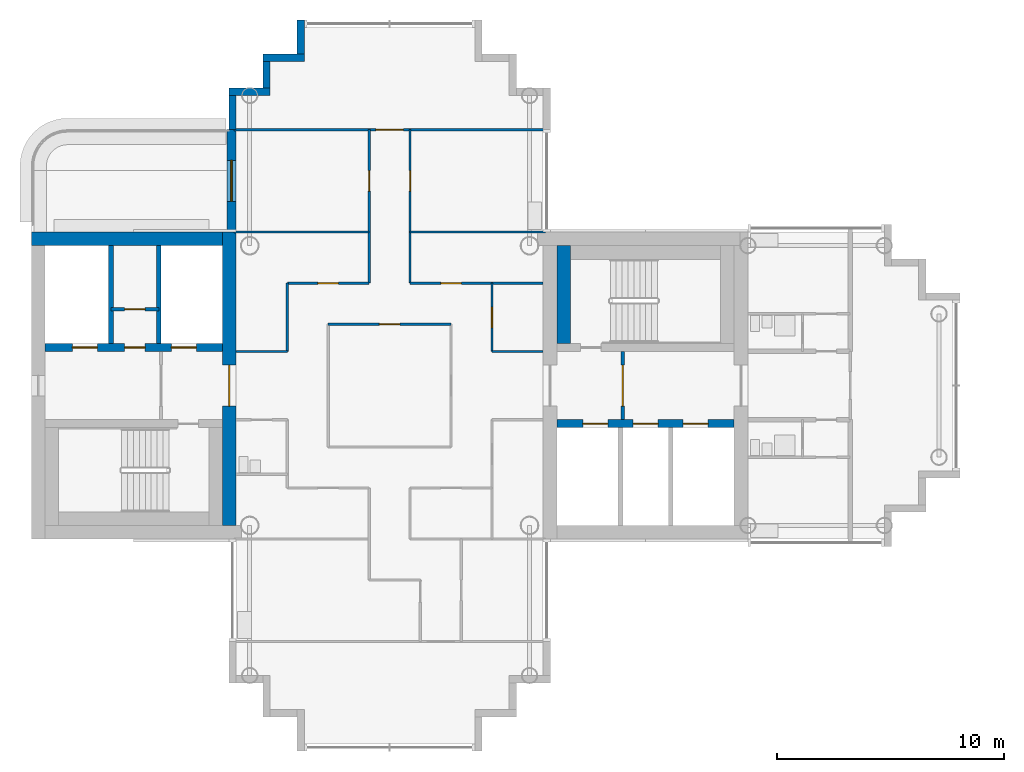
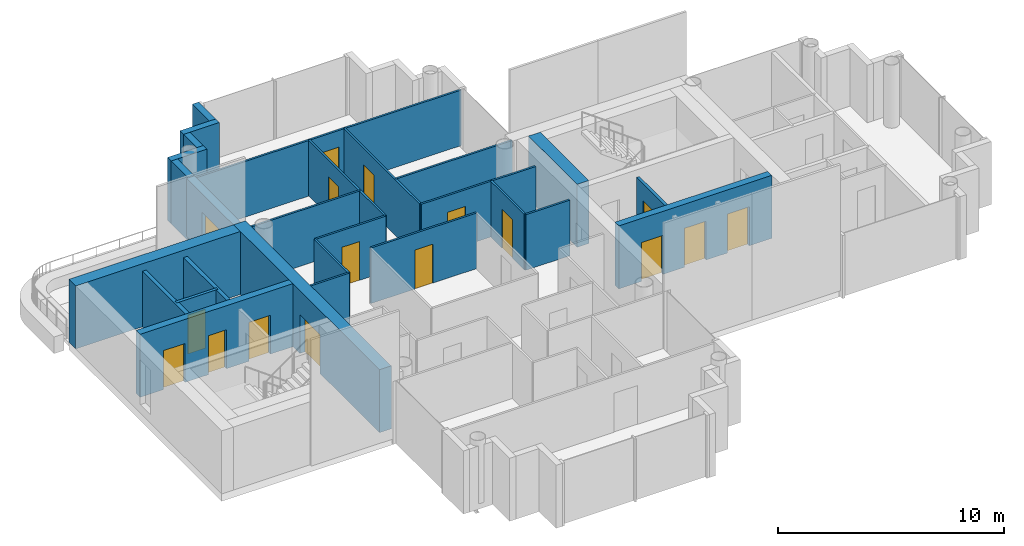
# One storey, part 7 of 18: 27 walls, 17 doors, 17 openings.
"""IFC4 building model written with IfcOpenShell, lengths in metres."""

from ifc_helpers import new_model, si_unit, direction, frame, frame_2d, origin, place, context, subcontext, project, spatial, rectangle, extrude, material, layer, layer_set, type_object, element, fill, save


model = new_model("IFC4")

# Units and contexts
model_context = context("Model", 3, precision=1e-05, world=origin(), true_north=direction((0.0, 1.0)))
body_context = subcontext(model_context, "Body", "Model", "MODEL_VIEW")
ifc_project = project(units=[si_unit("LENGTHUNIT", "METRE"), si_unit("AREAUNIT", "SQUARE_METRE"), si_unit("VOLUMEUNIT", "CUBIC_METRE"), si_unit("PLANEANGLEUNIT", "RADIAN"), si_unit("MASSUNIT", "GRAM", prefix="KILO")], contexts=[model_context])

# Site, building, storey
site_placement = place(None, origin())
site = spatial("IfcSite", under=ifc_project, at=site_placement, CompositionType="ELEMENT")
building_placement = place(site_placement, origin())
building = spatial("IfcBuilding", under=site, at=building_placement, Name="Ipe Terrace Towers", CompositionType="ELEMENT")
storey_placement = place(building_placement, frame((0.0, 0.0, 213.0)))
storey = spatial("IfcBuildingStorey", under=building, at=storey_placement, Name="L59", CompositionType="ELEMENT", Elevation=213.0)

# Wall, opening, door
ifc_material_1 = material(Name="Concrete C40/50 with buff precast cladding", Category="concrete")
ifc_layer_1 = layer(ifc_material_1, 0.39990234375)
ifc_layer_set_1 = layer_set([ifc_layer_1], Name="BALCONY BAY WALL 400")
wall_type_1 = type_object("IfcWallType", Name="BALCONY BAY WALL 400", PredefinedType="STANDARD", material=ifc_layer_set_1)
wall_1_placement = place(storey_placement, frame((-42.949951171875, 11.25, -0.02001953125), z_axis=(0.0, 0.0, 1.0), x_axis=(0.0, -1.0, 0.0)))
wall_1 = element("IfcWall", 1, at=wall_1_placement, inside=storey, type_object=wall_type_1, Name="T1-W-L59-40a wall", PredefinedType="STANDARD", context=body_context, shape_type="SweptSolid", body=[
    extrude(rectangle(XDim=4.5, YDim=0.39990234375, at=frame_2d((2.25, 0.0))), origin(), (0.0, 0.0, 1.0), 3.1201171875),
])
opening_1_placement = place(wall_1_placement, frame((1.35009765625, 0.0, 0.02001953125)))
opening_1 = element("IfcOpeningElement", 2, at=opening_1_placement, cuts=wall_1, Name="Opening T1-D-L59-40", PredefinedType="OPENING", context=body_context, shape_type="SweptSolid", body=[
    extrude(rectangle(XDim=1.800048828125, YDim=2.10009765625, at=frame_2d((0.89990234375, 1.050048828125))), frame((0.0, 0.2099609375, 0.0), z_axis=(0.0, -1.0, 0.0), x_axis=(1.0, 0.0, 0.0)), (0.0, 0.0, 1.0), 0.419921875),
])
ifc_material_2 = material(Name="Aluminium alloy 6063-T6 framed glazed door", Category="aluminium")
door_type_1 = type_object("IfcDoorType", Name="BALCONY DOOR 1800 x 2100 LEFT", OperationType="SINGLE_SWING_LEFT", PredefinedType="DOOR", material=ifc_material_2)
door_1_placement = place(opening_1_placement, origin())
door_1 = element("IfcDoor", 3, at=door_1_placement, inside=storey, type_object=door_type_1, Name="DB1 door", OperationType="SINGLE_SWING_LEFT", OverallHeight=2.10009765625, OverallWidth=1.800048828125, PredefinedType="DOOR", context=body_context, shape_type="SweptSolid", body=[
    extrude(rectangle(XDim=1.800048828125, YDim=2.10009765625, at=frame_2d((0.89990234375, 1.050048828125))), frame((0.0, 0.02490234375, 0.0), z_axis=(0.0, -1.0, 0.0), x_axis=(1.0, 0.0, 0.0)), (0.0, 0.0, 1.0), 0.050048828125),
])
fill(opening_1, door_1)

# Walls
ifc_material_3 = material(Name="Concrete C40/50 with buff precast cladding", Category="concrete")
ifc_layer_2 = layer(ifc_material_3, 0.320068359375)
ifc_layer_set_2 = layer_set([ifc_layer_2], Name="BUFF CLADDING WALL 320")
wall_type_2 = type_object("IfcWallType", Name="BUFF CLADDING WALL 320", PredefinedType="STANDARD", material=ifc_layer_set_2)
wall_2_placement = place(storey_placement, frame((-39.909912109375, 16.070068359375, -0.300048828125), z_axis=(0.0, 0.0, 1.0), x_axis=(0.0, -1.0, 0.0)))
element("IfcWall", 4, at=wall_2_placement, inside=storey, type_object=wall_type_2, Name="T1-W-L59-35a wall", PredefinedType="STANDARD", context=body_context, shape_type="SweptSolid", body=[
    extrude(rectangle(XDim=1.5, YDim=0.320068359375, at=frame_2d((0.75, 0.0))), origin(), (0.0, 0.0, 1.0), 3.400146484375),
])
wall_3_placement = place(storey_placement, frame((-39.75, 14.409912109375, -0.300048828125), z_axis=(0.0, 0.0, 1.0), x_axis=(-1.0, 0.0, 0.0)))
element("IfcWall", 5, at=wall_3_placement, inside=storey, type_object=wall_type_2, Name="T1-W-L59-36a wall", PredefinedType="STANDARD", context=body_context, shape_type="SweptSolid", body=[
    extrude(rectangle(XDim=1.820068359375, YDim=0.320068359375, at=frame_2d((0.91015625, 0.0))), origin(), (0.0, 0.0, 1.0), 3.400146484375),
])
wall_4_placement = place(storey_placement, frame((-41.409912109375, 14.25, -0.300048828125), z_axis=(0.0, 0.0, 1.0), x_axis=(0.0, -1.0, 0.0)))
element("IfcWall", 6, at=wall_4_placement, inside=storey, type_object=wall_type_2, Name="T1-W-L59-37a wall", PredefinedType="STANDARD", context=body_context, shape_type="SweptSolid", body=[
    extrude(rectangle(XDim=1.179931640625, YDim=0.320068359375, at=frame_2d((0.58984375, 0.0))), origin(), (0.0, 0.0, 1.0), 3.400146484375),
])
wall_5_placement = place(storey_placement, frame((-41.25, 12.909912109375, -0.300048828125), z_axis=(0.0, 0.0, 1.0), x_axis=(-1.0, 0.0, 0.0)))
element("IfcWall", 7, at=wall_5_placement, inside=storey, type_object=wall_type_2, Name="T1-W-L59-38a wall", PredefinedType="STANDARD", context=body_context, shape_type="SweptSolid", body=[
    extrude(rectangle(XDim=1.820068359375, YDim=0.320068359375, at=frame_2d((0.91015625, 0.0))), origin(), (0.0, 0.0, 1.0), 3.400146484375),
])
wall_6_placement = place(storey_placement, frame((-42.909912109375, 12.75, -0.300048828125), z_axis=(0.0, 0.0, 1.0), x_axis=(0.0, -1.0, 0.0)))
element("IfcWall", 8, at=wall_6_placement, inside=storey, type_object=wall_type_2, Name="T1-W-L59-39a wall", PredefinedType="STANDARD", context=body_context, shape_type="SweptSolid", body=[
    extrude(rectangle(XDim=1.5, YDim=0.320068359375, at=frame_2d((0.75, 0.0))), origin(), (0.0, 0.0, 1.0), 3.400146484375),
])
ifc_material_4 = material(Name="Gypsum board partition", Category="plasterboard")
ifc_layer_3 = layer(ifc_material_4, 0.10009765625)
ifc_layer_set_3 = layer_set([ifc_layer_3], Name="Gypsum board partition 100 mm")
wall_type_3 = type_object("IfcWallType", Name="Gypsum board partition 100 mm", PredefinedType="PARTITIONING", material=ifc_layer_set_3)
wall_7_placement = place(storey_placement, frame((-40.5, 1.5, 0.0), z_axis=(0.0, 0.0, 1.0), x_axis=(0.0, 1.0, 0.0)))
element("IfcWall", 9, at=wall_7_placement, inside=storey, type_object=wall_type_3, Name="Gypsum board partition T1 L59 W02", PredefinedType="PARTITIONING", context=body_context, shape_type="SweptSolid", body=[
    extrude(rectangle(XDim=3.0, YDim=0.10009765625, at=frame_2d((1.5, 0.0))), origin(), (0.0, 0.0, 1.0), 3.0),
])

# Wall, opening, door
wall_8_placement = place(storey_placement, frame((-36.89990234375, 4.5, 0.0), z_axis=(0.0, 0.0, 1.0), x_axis=(0.0, 1.0, 0.0)))
wall_8 = element("IfcWall", 10, at=wall_8_placement, inside=storey, type_object=wall_type_3, Name="Gypsum board partition T1 L59 W05", PredefinedType="PARTITIONING", context=body_context, shape_type="SweptSolid", body=[
    extrude(rectangle(XDim=6.75, YDim=0.10009765625, at=frame_2d((3.375, 0.0))), origin(), (0.0, 0.0, 1.0), 3.0),
])
opening_2_placement = place(wall_8_placement, frame((4.050048828125, 0.0, 0.0)))
opening_2 = element("IfcOpeningElement", 11, at=opening_2_placement, cuts=wall_8, Name="Opening T1-Z4E-10", PredefinedType="OPENING", context=body_context, shape_type="SweptSolid", body=[
    extrude(rectangle(XDim=0.89990234375, YDim=2.10009765625, at=frame_2d((0.449951171875, 1.050048828125))), frame((0.0, 0.06005859375, 0.0), z_axis=(0.0, -1.0, 0.0), x_axis=(1.0, 0.0, 0.0)), (0.0, 0.0, 1.0), 0.1201171875),
])
ifc_material_5 = material(Name="Timber door leaf", Category="wood")
door_type_2 = type_object("IfcDoorType", Name="Lounge door 900 x 2100", OperationType="NOTDEFINED", PredefinedType="DOOR", material=ifc_material_5)
door_2_placement = place(opening_2_placement, origin())
door_2 = element("IfcDoor", 12, at=door_2_placement, inside=storey, type_object=door_type_2, Name="Lounge door T1-Z4E-10", OperationType="SINGLE_SWING_LEFT", OverallHeight=2.10009765625, OverallWidth=0.89990234375, PredefinedType="DOOR", context=body_context, shape_type="SweptSolid", body=[
    extrude(rectangle(XDim=0.89990234375, YDim=2.10009765625, at=frame_2d((0.449951171875, 1.050048828125))), frame((0.0, 0.02490234375, 0.0), z_axis=(0.0, -1.0, 0.0), x_axis=(1.0, 0.0, 0.0)), (0.0, 0.0, 1.0), 0.050048828125),
])
fill(opening_2, door_2)

wall_9_placement = place(storey_placement, frame((-35.10009765625, 4.5, 0.0), z_axis=(0.0, 0.0, 1.0), x_axis=(0.0, 1.0, 0.0)))
wall_9 = element("IfcWall", 13, at=wall_9_placement, inside=storey, type_object=wall_type_3, Name="Gypsum board partition T1 L59 W07", PredefinedType="PARTITIONING", context=body_context, shape_type="SweptSolid", body=[
    extrude(rectangle(XDim=6.75, YDim=0.10009765625, at=frame_2d((3.375, 0.0))), origin(), (0.0, 0.0, 1.0), 3.0),
])
opening_3_placement = place(wall_9_placement, frame((4.050048828125, 0.0, 0.0)))
opening_3 = element("IfcOpeningElement", 14, at=opening_3_placement, cuts=wall_9, Name="Opening T1-Z4E-11", PredefinedType="OPENING", context=body_context, shape_type="SweptSolid", body=[
    extrude(rectangle(XDim=0.89990234375, YDim=2.10009765625, at=frame_2d((0.449951171875, 1.050048828125))), frame((0.0, 0.06005859375, 0.0), z_axis=(0.0, -1.0, 0.0), x_axis=(1.0, 0.0, 0.0)), (0.0, 0.0, 1.0), 0.1201171875),
])
door_3_placement = place(opening_3_placement, origin())
door_3 = element("IfcDoor", 15, at=door_3_placement, inside=storey, type_object=door_type_2, Name="Lounge door T1-Z4E-11", OperationType="SINGLE_SWING_RIGHT", OverallHeight=2.10009765625, OverallWidth=0.89990234375, PredefinedType="DOOR", context=body_context, shape_type="SweptSolid", body=[
    extrude(rectangle(XDim=0.89990234375, YDim=2.10009765625, at=frame_2d((0.449951171875, 1.050048828125))), frame((0.0, 0.02490234375, 0.0), z_axis=(0.0, -1.0, 0.0), x_axis=(1.0, 0.0, 0.0)), (0.0, 0.0, 1.0), 0.050048828125),
])
fill(opening_3, door_3)

wall_10_placement = place(storey_placement, frame((-31.5, 1.5, 0.0), z_axis=(0.0, 0.0, 1.0), x_axis=(0.0, 1.0, 0.0)))
wall_10 = element("IfcWall", 16, at=wall_10_placement, inside=storey, type_object=wall_type_3, Name="Gypsum board partition T1 L59 W12", PredefinedType="PARTITIONING", context=body_context, shape_type="SweptSolid", body=[
    extrude(rectangle(XDim=3.0, YDim=0.10009765625, at=frame_2d((1.5, 0.0))), origin(), (0.0, 0.0, 1.0), 3.0),
])
opening_4_placement = place(wall_10_placement, frame((1.050048828125, 0.0, 0.0)))
opening_4 = element("IfcOpeningElement", 17, at=opening_4_placement, cuts=wall_10, Name="Opening T1-Z4E-05", PredefinedType="OPENING", context=body_context, shape_type="SweptSolid", body=[
    extrude(rectangle(XDim=0.89990234375, YDim=2.10009765625, at=frame_2d((0.449951171875, 1.050048828125))), frame((0.0, 0.06005859375, 0.0), z_axis=(0.0, -1.0, 0.0), x_axis=(1.0, 0.0, 0.0)), (0.0, 0.0, 1.0), 0.1201171875),
])
door_4_placement = place(opening_4_placement, origin())
door_4 = element("IfcDoor", 18, at=door_4_placement, inside=storey, type_object=door_type_2, Name="Lounge door T1-Z4E-05", OperationType="SINGLE_SWING_RIGHT", OverallHeight=2.10009765625, OverallWidth=0.89990234375, PredefinedType="DOOR", context=body_context, shape_type="SweptSolid", body=[
    extrude(rectangle(XDim=0.89990234375, YDim=2.10009765625, at=frame_2d((0.449951171875, 1.050048828125))), frame((0.0, 0.02490234375, 0.0), z_axis=(0.0, -1.0, 0.0), x_axis=(1.0, 0.0, 0.0)), (0.0, 0.0, 1.0), 0.050048828125),
])
fill(opening_4, door_4)

# Walls
for number, where, z_axis, x_axis, name in (
    (19, (-42.75, 1.5, 0.0), (0.0, 0.0, 1.0), (1.0, 0.0, 0.0), "Gypsum board partition T1 L59 W30"),
    (20, (-31.5, 1.5, 0.0), (0.0, 0.0, 1.0), (1.0, 0.0, 0.0), "Gypsum board partition T1 L59 W31"),
):
    element("IfcWall", number, at=place(storey_placement, frame(where, z_axis=z_axis, x_axis=x_axis)), inside=storey, type_object=wall_type_3, Name=name, PredefinedType="PARTITIONING", context=body_context, shape_type="SweptSolid", body=[
        extrude(rectangle(XDim=2.25, YDim=0.10009765625, at=frame_2d((1.125, 0.0))), origin(), (0.0, 0.0, 1.0), 3.0),
    ])

# Wall, opening, door
wall_11_placement = place(storey_placement, frame((-38.699951171875, 2.699951171875, 0.0), z_axis=(0.0, 0.0, 1.0), x_axis=(1.0, 0.0, 0.0)))
wall_11 = element("IfcWall", 21, at=wall_11_placement, inside=storey, type_object=wall_type_3, Name="Gypsum board partition T1 L59 W33", PredefinedType="PARTITIONING", context=body_context, shape_type="SweptSolid", body=[
    extrude(rectangle(XDim=5.39990234375, YDim=0.10009765625, at=frame_2d((2.699951171875, 0.0))), origin(), (0.0, 0.0, 1.0), 3.0),
])
opening_5_placement = place(wall_11_placement, frame((2.25, 0.0, 0.0)))
opening_5 = element("IfcOpeningElement", 22, at=opening_5_placement, cuts=wall_11, Name="Opening T1-Z4E-01", PredefinedType="OPENING", context=body_context, shape_type="SweptSolid", body=[
    extrude(rectangle(XDim=0.89990234375, YDim=2.10009765625, at=frame_2d((0.449951171875, 1.050048828125))), frame((0.0, 0.06005859375, 0.0), z_axis=(0.0, -1.0, 0.0), x_axis=(1.0, 0.0, 0.0)), (0.0, 0.0, 1.0), 0.1201171875),
])
door_5_placement = place(opening_5_placement, origin())
door_5 = element("IfcDoor", 23, at=door_5_placement, inside=storey, type_object=door_type_2, Name="Lounge door T1-Z4E-01", OperationType="SINGLE_SWING_RIGHT", OverallHeight=2.10009765625, OverallWidth=0.89990234375, PredefinedType="DOOR", context=body_context, shape_type="SweptSolid", body=[
    extrude(rectangle(XDim=0.89990234375, YDim=2.10009765625, at=frame_2d((0.449951171875, 1.050048828125))), frame((0.0, 0.02490234375, 0.0), z_axis=(0.0, -1.0, 0.0), x_axis=(1.0, 0.0, 0.0)), (0.0, 0.0, 1.0), 0.050048828125),
])
fill(opening_5, door_5)

wall_12_placement = place(storey_placement, frame((-40.5, 4.5, 0.0), z_axis=(0.0, 0.0, 1.0), x_axis=(1.0, 0.0, 0.0)))
wall_12 = element("IfcWall", 24, at=wall_12_placement, inside=storey, type_object=wall_type_3, Name="Gypsum board partition T1 L59 W35", PredefinedType="PARTITIONING", context=body_context, shape_type="SweptSolid", body=[
    extrude(rectangle(XDim=3.60009765625, YDim=0.10009765625, at=frame_2d((1.800048828125, 0.0))), origin(), (0.0, 0.0, 1.0), 3.0),
])
opening_6_placement = place(wall_12_placement, frame((1.35009765625, 0.0, 0.0)))
opening_6 = element("IfcOpeningElement", 25, at=opening_6_placement, cuts=wall_12, Name="Opening T1-Z4E-06", PredefinedType="OPENING", context=body_context, shape_type="SweptSolid", body=[
    extrude(rectangle(XDim=0.89990234375, YDim=2.10009765625, at=frame_2d((0.449951171875, 1.050048828125))), frame((0.0, 0.06005859375, 0.0), z_axis=(0.0, -1.0, 0.0), x_axis=(1.0, 0.0, 0.0)), (0.0, 0.0, 1.0), 0.1201171875),
])
door_6_placement = place(opening_6_placement, origin())
door_6 = element("IfcDoor", 26, at=door_6_placement, inside=storey, type_object=door_type_2, Name="Lounge door T1-Z4E-06", OperationType="SINGLE_SWING_LEFT", OverallHeight=2.10009765625, OverallWidth=0.89990234375, PredefinedType="DOOR", context=body_context, shape_type="SweptSolid", body=[
    extrude(rectangle(XDim=0.89990234375, YDim=2.10009765625, at=frame_2d((0.449951171875, 1.050048828125))), frame((0.0, 0.02490234375, 0.0), z_axis=(0.0, -1.0, 0.0), x_axis=(1.0, 0.0, 0.0)), (0.0, 0.0, 1.0), 0.050048828125),
])
fill(opening_6, door_6)

wall_13_placement = place(storey_placement, frame((-35.10009765625, 4.5, 0.0), z_axis=(0.0, 0.0, 1.0), x_axis=(1.0, 0.0, 0.0)))
wall_13 = element("IfcWall", 27, at=wall_13_placement, inside=storey, type_object=wall_type_3, Name="Gypsum board partition T1 L59 W36", PredefinedType="PARTITIONING", context=body_context, shape_type="SweptSolid", body=[
    extrude(rectangle(XDim=5.85009765625, YDim=0.10009765625, at=frame_2d((2.925048828125, 0.0))), origin(), (0.0, 0.0, 1.0), 3.0),
])
opening_7_placement = place(wall_13_placement, frame((1.35009765625, 0.0, 0.0)))
opening_7 = element("IfcOpeningElement", 28, at=opening_7_placement, cuts=wall_13, Name="Opening T1-Z4E-04", PredefinedType="OPENING", context=body_context, shape_type="SweptSolid", body=[
    extrude(rectangle(XDim=0.89990234375, YDim=2.10009765625, at=frame_2d((0.449951171875, 1.050048828125))), frame((0.0, 0.06005859375, 0.0), z_axis=(0.0, -1.0, 0.0), x_axis=(1.0, 0.0, 0.0)), (0.0, 0.0, 1.0), 0.1201171875),
])
door_7_placement = place(opening_7_placement, origin())
door_7 = element("IfcDoor", 29, at=door_7_placement, inside=storey, type_object=door_type_2, Name="Lounge door T1-Z4E-04", OperationType="SINGLE_SWING_RIGHT", OverallHeight=2.10009765625, OverallWidth=0.89990234375, PredefinedType="DOOR", context=body_context, shape_type="SweptSolid", body=[
    extrude(rectangle(XDim=0.89990234375, YDim=2.10009765625, at=frame_2d((0.449951171875, 1.050048828125))), frame((0.0, 0.02490234375, 0.0), z_axis=(0.0, -1.0, 0.0), x_axis=(1.0, 0.0, 0.0)), (0.0, 0.0, 1.0), 0.050048828125),
])
fill(opening_7, door_7)

# Walls
for number, where, z_axis, x_axis, name in (
    (30, (-42.85009765625, 6.75, 0.0), (0.0, 0.0, 1.0), (1.0, 0.0, 0.0), "Gypsum board partition T1 L59 W37"),
    (31, (-35.10009765625, 6.75, 0.0), (0.0, 0.0, 1.0), (1.0, 0.0, 0.0), "Gypsum board partition T1 L59 W38"),
):
    element("IfcWall", number, at=place(storey_placement, frame(where, z_axis=z_axis, x_axis=x_axis)), inside=storey, type_object=wall_type_3, Name=name, PredefinedType="PARTITIONING", context=body_context, shape_type="SweptSolid", body=[
        extrude(rectangle(XDim=5.9501953125, YDim=0.10009765625, at=frame_2d((2.97509765625, 0.0))), origin(), (0.0, 0.0, 1.0), 3.0),
    ])

# Wall, opening, door
wall_14_placement = place(storey_placement, frame((-42.85009765625, 11.25, 0.0), z_axis=(0.0, 0.0, 1.0), x_axis=(1.0, 0.0, 0.0)))
wall_14 = element("IfcWall", 32, at=wall_14_placement, inside=storey, type_object=wall_type_3, Name="Gypsum board partition T1 L59 W39", PredefinedType="PARTITIONING", context=body_context, shape_type="SweptSolid", body=[
    extrude(rectangle(XDim=13.7001953125, YDim=0.10009765625, at=frame_2d((6.85009765625, 0.0))), origin(), (0.0, 0.0, 1.0), 3.0),
])
opening_8_placement = place(wall_14_placement, frame((6.25, 0.0, 0.0)))
opening_8 = element("IfcOpeningElement", 33, at=opening_8_placement, cuts=wall_14, Name="Opening T1-Z4E-12", PredefinedType="OPENING", context=body_context, shape_type="SweptSolid", body=[
    extrude(rectangle(XDim=1.199951171875, YDim=2.10009765625, at=frame_2d((0.60009765625, 1.050048828125))), frame((0.0, 0.06005859375, 0.0), z_axis=(0.0, -1.0, 0.0), x_axis=(1.0, 0.0, 0.0)), (0.0, 0.0, 1.0), 0.1201171875),
])
ifc_material_6 = material(Name="Timber door leaf", Category="wood")
door_type_3 = type_object("IfcDoorType", Name="Lounge door 1200 x 2100", OperationType="NOTDEFINED", PredefinedType="DOOR", material=ifc_material_6)
door_8_placement = place(opening_8_placement, origin())
door_8 = element("IfcDoor", 34, at=door_8_placement, inside=storey, type_object=door_type_3, Name="Lounge door T1-Z4E-12", OperationType="SINGLE_SWING_LEFT", OverallHeight=2.10009765625, OverallWidth=1.199951171875, PredefinedType="DOOR", context=body_context, shape_type="SweptSolid", body=[
    extrude(rectangle(XDim=1.199951171875, YDim=2.10009765625, at=frame_2d((0.60009765625, 1.050048828125))), frame((0.0, 0.02490234375, 0.0), z_axis=(0.0, -1.0, 0.0), x_axis=(1.0, 0.0, 0.0)), (0.0, 0.0, 1.0), 0.050048828125),
])
fill(opening_8, door_8)

ifc_material_7 = material(Name="Gypsum board partition", Category="plasterboard")
ifc_layer_4 = layer(ifc_material_7, 0.14990234375)
ifc_layer_set_4 = layer_set([ifc_layer_4], Name="Gypsum board partition 150 mm")
wall_type_4 = type_object("IfcWallType", Name="Gypsum board partition 150 mm", PredefinedType="PARTITIONING", material=ifc_layer_set_4)
wall_15_placement = place(storey_placement, frame((-25.75, -1.5, 0.0), z_axis=(0.0, 0.0, 1.0), x_axis=(0.0, 1.0, 0.0)))
wall_15 = element("IfcWall", 35, at=wall_15_placement, inside=storey, type_object=wall_type_4, Name="Gypsum board partition T1 L59 t1c1-lobby-wall", PredefinedType="PARTITIONING", context=body_context, shape_type="SweptSolid", body=[
    extrude(rectangle(XDim=3.0, YDim=0.14990234375, at=frame_2d((1.5, 0.0))), origin(), (0.0, 0.0, 1.0), 3.0),
])
opening_9_placement = place(wall_15_placement, frame((0.60009765625, 0.0, 0.0)))
opening_9 = element("IfcOpeningElement", 36, at=opening_9_placement, cuts=wall_15, Name="Opening T1C1-VD", PredefinedType="OPENING", context=body_context, shape_type="SweptSolid", body=[
    extrude(rectangle(XDim=1.800048828125, YDim=2.10009765625, at=frame_2d((0.89990234375, 1.050048828125))), frame((0.0, 0.0849609375, 0.0), z_axis=(0.0, -1.0, 0.0), x_axis=(1.0, 0.0, 0.0)), (0.0, 0.0, 1.0), 0.169921875),
])
ifc_material_8 = material(Name="Fire-rated timber door leaf", Category="wood")
door_type_4 = type_object("IfcDoorType", Name="Lobby door 1800 x 2100 FD60", OperationType="NOTDEFINED", PredefinedType="DOOR", material=ifc_material_8)
door_9_placement = place(opening_9_placement, origin())
door_9 = element("IfcDoor", 37, at=door_9_placement, inside=storey, type_object=door_type_4, Name="Lobby door T1C1-VD", OperationType="SINGLE_SWING_LEFT", OverallHeight=2.10009765625, OverallWidth=1.800048828125, PredefinedType="DOOR", context=body_context, shape_type="SweptSolid", body=[
    extrude(rectangle(XDim=1.800048828125, YDim=2.10009765625, at=frame_2d((0.89990234375, 1.050048828125))), frame((0.0, 0.02490234375, 0.0), z_axis=(0.0, -1.0, 0.0), x_axis=(1.0, 0.0, 0.0)), (0.0, 0.0, 1.0), 0.050048828125),
])
fill(opening_9, door_9)

wall_16_placement = place(storey_placement, frame((-46.14990234375, 3.35009765625, 0.0), z_axis=(0.0, 0.0, 1.0), x_axis=(-1.0, 0.0, 0.0)))
wall_16 = element("IfcWall", 38, at=wall_16_placement, inside=storey, type_object=wall_type_4, Name="Gypsum board partition T1 L59 t1c2-q-back", PredefinedType="PARTITIONING", context=body_context, shape_type="SweptSolid", body=[
    extrude(rectangle(XDim=2.10009765625, YDim=0.14990234375, at=frame_2d((1.050048828125, 0.0))), origin(), (0.0, 0.0, 1.0), 3.0),
])
opening_10_placement = place(wall_16_placement, frame((0.60009765625, 0.0, 0.0)))
opening_10 = element("IfcOpeningElement", 39, at=opening_10_placement, cuts=wall_16, Name="Opening T1C2-RB-FD30S", PredefinedType="OPENING", context=body_context, shape_type="SweptSolid", body=[
    extrude(rectangle(XDim=0.89990234375, YDim=2.10009765625, at=frame_2d((0.449951171875, 1.050048828125))), frame((0.0, 0.0849609375, 0.0), z_axis=(0.0, -1.0, 0.0), x_axis=(1.0, 0.0, 0.0)), (0.0, 0.0, 1.0), 0.169921875),
])
ifc_material_9 = material(Name="Fire-rated timber door leaf", Category="wood")
door_type_5 = type_object("IfcDoorType", Name="Service door 900 x 2100 FD30S", OperationType="NOTDEFINED", PredefinedType="DOOR", material=ifc_material_9)
door_10_placement = place(opening_10_placement, origin())
door_10 = element("IfcDoor", 40, at=door_10_placement, inside=storey, type_object=door_type_5, Name="Service door T1C2-RB-FD30S", OperationType="SINGLE_SWING_LEFT", OverallHeight=2.10009765625, OverallWidth=0.89990234375, PredefinedType="DOOR", context=body_context, shape_type="SweptSolid", body=[
    extrude(rectangle(XDim=0.89990234375, YDim=2.10009765625, at=frame_2d((0.449951171875, 1.050048828125))), frame((0.0, 0.02490234375, 0.0), z_axis=(0.0, -1.0, 0.0), x_axis=(1.0, 0.0, 0.0)), (0.0, 0.0, 1.0), 0.050048828125),
])
fill(opening_10, door_10)

# Walls
ifc_material_10 = material(Name="Gypsum board party wall", Category="plasterboard")
ifc_layer_5 = layer(ifc_material_10, 0.199951171875)
ifc_layer_set_5 = layer_set([ifc_layer_5], Name="Gypsum board party wall 200 mm")
wall_type_5 = type_object("IfcWallType", Name="Gypsum board party wall 200 mm", PredefinedType="SOLIDWALL", material=ifc_layer_set_5)
for number, where, z_axis, x_axis, name in (
    (41, (-48.25, 6.14990234375, 0.0), (0.0, 0.0, 1.0), (0.0, -1.0, 0.0), "Gypsum board party wall T1 L59 t1c2-shaft-div2"),
    (42, (-46.14990234375, 6.14990234375, 0.0), (0.0, 0.0, 1.0), (0.0, -1.0, 0.0), "Gypsum board party wall T1 L59 t1c2-shaft-div1"),
):
    element("IfcWall", number, at=place(storey_placement, frame(where, z_axis=z_axis, x_axis=x_axis)), inside=storey, type_object=wall_type_5, Name=name, PredefinedType="SOLIDWALL", context=body_context, shape_type="SweptSolid", body=[
        extrude(rectangle(XDim=4.2998046875, YDim=0.199951171875, at=frame_2d((2.14990234375, 0.0))), origin(), (0.0, 0.0, 1.0), 3.0),
    ])

# Wall, openings, doors
ifc_material_11 = material(Name="Concrete C40/50", Category="concrete")
ifc_layer_6 = layer(ifc_material_11, 0.35009765625)
ifc_layer_set_6 = layer_set([ifc_layer_6], Name="RW350 CORE SPINE WALL 350 C40-50")
wall_type_6 = type_object("IfcWallType", Name="RW350 CORE SPINE WALL 350 C40-50", PredefinedType="SHEAR", material=ifc_layer_set_6)
wall_17_placement = place(storey_placement, frame((-28.64990234375, -1.675048828125, 0.0), z_axis=(0.0, 0.0, 1.0), x_axis=(1.0, 0.0, 0.0)))
wall_17 = element("IfcWall", 43, at=wall_17_placement, inside=storey, type_object=wall_type_6, Name="Core spine wall T1-C1-Z4-SW1", PredefinedType="SHEAR", context=body_context, shape_type="SweptSolid", body=[
    extrude(rectangle(XDim=7.7998046875, YDim=0.35009765625, at=frame_2d((3.89990234375, 0.0))), origin(), (0.0, 0.0, 1.0), 3.39990234375),
])
opening_11_placement = place(wall_17_placement, frame((1.14990234375, 0.0, 0.0)))
opening_11 = element("IfcOpeningElement", 44, at=opening_11_placement, cuts=wall_17, Name="Opening T1C1-LD1", PredefinedType="OPENING", context=body_context, shape_type="SweptSolid", body=[
    extrude(rectangle(XDim=1.10009765625, YDim=2.10009765625, at=frame_2d((0.550048828125, 1.050048828125))), frame((0.0, 0.18505859375, 0.0), z_axis=(0.0, -1.0, 0.0), x_axis=(1.0, 0.0, 0.0)), (0.0, 0.0, 1.0), 0.3701171875),
])
opening_12_placement = place(wall_17_placement, frame((3.35009765625, 0.0, 0.0)))
opening_12 = element("IfcOpeningElement", 45, at=opening_12_placement, cuts=wall_17, Name="Opening T1C1-LD2", PredefinedType="OPENING", context=body_context, shape_type="SweptSolid", body=[
    extrude(rectangle(XDim=1.10009765625, YDim=2.10009765625, at=frame_2d((0.550048828125, 1.050048828125))), frame((0.0, 0.18505859375, 0.0), z_axis=(0.0, -1.0, 0.0), x_axis=(1.0, 0.0, 0.0)), (0.0, 0.0, 1.0), 0.3701171875),
])
opening_13_placement = place(wall_17_placement, frame((5.550048828125, 0.0, 0.0)))
opening_13 = element("IfcOpeningElement", 46, at=opening_13_placement, cuts=wall_17, Name="Opening T1C1-LD3", PredefinedType="OPENING", context=body_context, shape_type="SweptSolid", body=[
    extrude(rectangle(XDim=1.10009765625, YDim=2.10009765625, at=frame_2d((0.550048828125, 1.050048828125))), frame((0.0, 0.18505859375, 0.0), z_axis=(0.0, -1.0, 0.0), x_axis=(1.0, 0.0, 0.0)), (0.0, 0.0, 1.0), 0.3701171875),
])
ifc_material_12 = material(Name="Fire-rated timber door leaf", Category="wood")
door_type_6 = type_object("IfcDoorType", Name="Sliding door 1100 x 2100 FD60", OperationType="SLIDING_TO_LEFT", PredefinedType="DOOR", material=ifc_material_12)
door_11_placement = place(opening_11_placement, origin())
door_11 = element("IfcDoor", 47, at=door_11_placement, inside=storey, type_object=door_type_6, Name="Sliding door T1C1-LD1", OperationType="SLIDING_TO_LEFT", OverallHeight=2.10009765625, OverallWidth=1.10009765625, PredefinedType="DOOR", context=body_context, shape_type="SweptSolid", body=[
    extrude(rectangle(XDim=1.10009765625, YDim=2.10009765625, at=frame_2d((0.550048828125, 1.050048828125))), frame((0.0, 0.02490234375, 0.0), z_axis=(0.0, -1.0, 0.0), x_axis=(1.0, 0.0, 0.0)), (0.0, 0.0, 1.0), 0.050048828125),
])
fill(opening_11, door_11)
door_12_placement = place(opening_12_placement, origin())
door_12 = element("IfcDoor", 48, at=door_12_placement, inside=storey, type_object=door_type_6, Name="Sliding door T1C1-LD2", OperationType="SLIDING_TO_LEFT", OverallHeight=2.10009765625, OverallWidth=1.10009765625, PredefinedType="DOOR", context=body_context, shape_type="SweptSolid", body=[
    extrude(rectangle(XDim=1.10009765625, YDim=2.10009765625, at=frame_2d((0.550048828125, 1.050048828125))), frame((0.0, 0.02490234375, 0.0), z_axis=(0.0, -1.0, 0.0), x_axis=(1.0, 0.0, 0.0)), (0.0, 0.0, 1.0), 0.050048828125),
])
fill(opening_12, door_12)
door_13_placement = place(opening_13_placement, origin())
door_13 = element("IfcDoor", 49, at=door_13_placement, inside=storey, type_object=door_type_6, Name="Sliding door T1C1-LD3", OperationType="SLIDING_TO_LEFT", OverallHeight=2.10009765625, OverallWidth=1.10009765625, PredefinedType="DOOR", context=body_context, shape_type="SweptSolid", body=[
    extrude(rectangle(XDim=1.10009765625, YDim=2.10009765625, at=frame_2d((0.550048828125, 1.050048828125))), frame((0.0, 0.02490234375, 0.0), z_axis=(0.0, -1.0, 0.0), x_axis=(1.0, 0.0, 0.0)), (0.0, 0.0, 1.0), 0.050048828125),
])
fill(opening_13, door_13)

wall_18_placement = place(storey_placement, frame((-51.14990234375, 1.675048828125, 0.0), z_axis=(0.0, 0.0, 1.0), x_axis=(1.0, 0.0, 0.0)))
wall_18 = element("IfcWall", 50, at=wall_18_placement, inside=storey, type_object=wall_type_6, Name="Core spine wall T1-C2-Z4-SW2", PredefinedType="SHEAR", context=body_context, shape_type="SweptSolid", body=[
    extrude(rectangle(XDim=7.7998046875, YDim=0.35009765625, at=frame_2d((3.89990234375, 0.0))), origin(), (0.0, 0.0, 1.0), 3.39990234375),
])
opening_14_placement = place(wall_18_placement, frame((5.550048828125, 0.0, 0.0)))
opening_14 = element("IfcOpeningElement", 51, at=opening_14_placement, cuts=wall_18, Name="Opening T1C2-LD1", PredefinedType="OPENING", context=body_context, shape_type="SweptSolid", body=[
    extrude(rectangle(XDim=1.10009765625, YDim=2.10009765625, at=frame_2d((0.550048828125, 1.050048828125))), frame((0.0, 0.18505859375, 0.0), z_axis=(0.0, -1.0, 0.0), x_axis=(1.0, 0.0, 0.0)), (0.0, 0.0, 1.0), 0.3701171875),
])
opening_15_placement = place(wall_18_placement, frame((1.199951171875, 0.0, 0.0)))
opening_15 = element("IfcOpeningElement", 52, at=opening_15_placement, cuts=wall_18, Name="Opening T1C2-LD3", PredefinedType="OPENING", context=body_context, shape_type="SweptSolid", body=[
    extrude(rectangle(XDim=1.10009765625, YDim=2.10009765625, at=frame_2d((0.550048828125, 1.050048828125))), frame((0.0, 0.18505859375, 0.0), z_axis=(0.0, -1.0, 0.0), x_axis=(1.0, 0.0, 0.0)), (0.0, 0.0, 1.0), 0.3701171875),
])
opening_16_placement = place(wall_18_placement, frame((3.5, 0.0, 0.0)))
opening_16 = element("IfcOpeningElement", 53, at=opening_16_placement, cuts=wall_18, Name="Opening T1C2-R1-NR", PredefinedType="OPENING", context=body_context, shape_type="SweptSolid", body=[
    extrude(rectangle(XDim=0.89990234375, YDim=2.10009765625, at=frame_2d((0.449951171875, 1.050048828125))), frame((0.0, 0.18505859375, 0.0), z_axis=(0.0, -1.0, 0.0), x_axis=(1.0, 0.0, 0.0)), (0.0, 0.0, 1.0), 0.3701171875),
])
door_14_placement = place(opening_14_placement, origin())
door_14 = element("IfcDoor", 54, at=door_14_placement, inside=storey, type_object=door_type_6, Name="Sliding door T1C2-LD1", OperationType="SLIDING_TO_LEFT", OverallHeight=2.10009765625, OverallWidth=1.10009765625, PredefinedType="DOOR", context=body_context, shape_type="SweptSolid", body=[
    extrude(rectangle(XDim=1.10009765625, YDim=2.10009765625, at=frame_2d((0.550048828125, 1.050048828125))), frame((0.0, 0.02490234375, 0.0), z_axis=(0.0, -1.0, 0.0), x_axis=(1.0, 0.0, 0.0)), (0.0, 0.0, 1.0), 0.050048828125),
])
fill(opening_14, door_14)
door_15_placement = place(opening_15_placement, origin())
door_15 = element("IfcDoor", 55, at=door_15_placement, inside=storey, type_object=door_type_6, Name="Sliding door T1C2-LD3", OperationType="SLIDING_TO_LEFT", OverallHeight=2.10009765625, OverallWidth=1.10009765625, PredefinedType="DOOR", context=body_context, shape_type="SweptSolid", body=[
    extrude(rectangle(XDim=1.10009765625, YDim=2.10009765625, at=frame_2d((0.550048828125, 1.050048828125))), frame((0.0, 0.02490234375, 0.0), z_axis=(0.0, -1.0, 0.0), x_axis=(1.0, 0.0, 0.0)), (0.0, 0.0, 1.0), 0.050048828125),
])
fill(opening_15, door_15)
ifc_material_13 = material(Name="Timber door leaf", Category="wood")
door_type_7 = type_object("IfcDoorType", Name="Store door 900 x 2100", OperationType="NOTDEFINED", PredefinedType="DOOR", material=ifc_material_13)
door_16_placement = place(opening_16_placement, origin())
door_16 = element("IfcDoor", 56, at=door_16_placement, inside=storey, type_object=door_type_7, Name="Store door T1C2-R1-NR", OperationType="SINGLE_SWING_LEFT", OverallHeight=2.10009765625, OverallWidth=0.89990234375, PredefinedType="DOOR", context=body_context, shape_type="SweptSolid", body=[
    extrude(rectangle(XDim=0.89990234375, YDim=2.10009765625, at=frame_2d((0.449951171875, 1.050048828125))), frame((0.0, 0.02490234375, 0.0), z_axis=(0.0, -1.0, 0.0), x_axis=(1.0, 0.0, 0.0)), (0.0, 0.0, 1.0), 0.050048828125),
])
fill(opening_16, door_16)

# Wall
ifc_material_14 = material(Name="Concrete C40/50", Category="concrete")
ifc_layer_7 = layer(ifc_material_14, 0.60009765625)
ifc_layer_set_7 = layer_set([ifc_layer_7], Name="RW600 CORE INFILL WALL 600 C40-50")
wall_type_7 = type_object("IfcWallType", Name="RW600 CORE INFILL WALL 600 C40-50", PredefinedType="SHEAR", material=ifc_layer_set_7)
wall_19_placement = place(storey_placement, frame((-28.35009765625, 1.85009765625, 0.0), z_axis=(0.0, 0.0, 1.0), x_axis=(0.0, 1.0, 0.0)))
element("IfcWall", 57, at=wall_19_placement, inside=storey, type_object=wall_type_7, Name="Core infill wall T1-C1-near", PredefinedType="SHEAR", context=body_context, shape_type="SweptSolid", body=[
    extrude(rectangle(XDim=4.2998046875, YDim=0.60009765625, at=frame_2d((2.14990234375, 0.0))), origin(), (0.0, 0.0, 1.0), 3.39990234375),
])

# Wall, opening, door
ifc_material_15 = material(Name="Concrete C40/50", Category="concrete")
ifc_layer_8 = layer(ifc_material_15, 0.60009765625)
ifc_layer_set_8 = layer_set([ifc_layer_8], Name="RW600 CORE WALL 600 C40-50")
wall_type_8 = type_object("IfcWallType", Name="RW600 CORE WALL 600 C40-50", PredefinedType="SHEAR", material=ifc_layer_set_8)
wall_20_placement = place(storey_placement, frame((-43.050048828125, -6.14990234375, 0.0), z_axis=(0.0, 0.0, 1.0), x_axis=(0.0, 1.0, 0.0)))
wall_20 = element("IfcWall", 58, at=wall_20_placement, inside=storey, type_object=wall_type_8, Name="Core wall T1-C2-Z4-W02", PredefinedType="SHEAR", context=body_context, shape_type="SweptSolid", body=[
    extrude(rectangle(XDim=12.89990234375, YDim=0.60009765625, at=frame_2d((6.449951171875, 0.0))), origin(), (0.0, 0.0, 1.0), 3.39990234375),
])
opening_17_placement = place(wall_20_placement, frame((5.25, 0.0, 0.0)))
opening_17 = element("IfcOpeningElement", 59, at=opening_17_placement, cuts=wall_20, Name="Opening T1C2-ND", PredefinedType="OPENING", context=body_context, shape_type="SweptSolid", body=[
    extrude(rectangle(XDim=1.800048828125, YDim=2.10009765625, at=frame_2d((0.89990234375, 1.050048828125))), frame((0.0, 0.31005859375, 0.0), z_axis=(0.0, -1.0, 0.0), x_axis=(1.0, 0.0, 0.0)), (0.0, 0.0, 1.0), 0.6201171875),
])
ifc_material_16 = material(Name="Fire-rated timber door leaf", Category="wood")
door_type_8 = type_object("IfcDoorType", Name="Fire door 1800 x 2100 FD30S", OperationType="NOTDEFINED", PredefinedType="DOOR", material=ifc_material_16)
door_17_placement = place(opening_17_placement, origin())
door_17 = element("IfcDoor", 60, at=door_17_placement, inside=storey, type_object=door_type_8, Name="Fire door T1C2-ND", OperationType="SINGLE_SWING_LEFT", OverallHeight=2.10009765625, OverallWidth=1.800048828125, PredefinedType="DOOR", context=body_context, shape_type="SweptSolid", body=[
    extrude(rectangle(XDim=1.800048828125, YDim=2.10009765625, at=frame_2d((0.89990234375, 1.050048828125))), frame((0.0, 0.02490234375, 0.0), z_axis=(0.0, -1.0, 0.0), x_axis=(1.0, 0.0, 0.0)), (0.0, 0.0, 1.0), 0.050048828125),
])
fill(opening_17, door_17)

# Wall
wall_21_placement = place(storey_placement, frame((-43.35009765625, 6.449951171875, 0.0), z_axis=(0.0, 0.0, 1.0), x_axis=(-1.0, 0.0, 0.0)))
element("IfcWall", 61, at=wall_21_placement, inside=storey, type_object=wall_type_8, Name="Core wall T1-C2-Z4-W03", PredefinedType="SHEAR", context=body_context, shape_type="SweptSolid", body=[
    extrude(rectangle(XDim=8.39990234375, YDim=0.60009765625, at=frame_2d((4.199951171875, 0.0))), origin(), (0.0, 0.0, 1.0), 3.39990234375),
])

save(model, "model.ifc")
